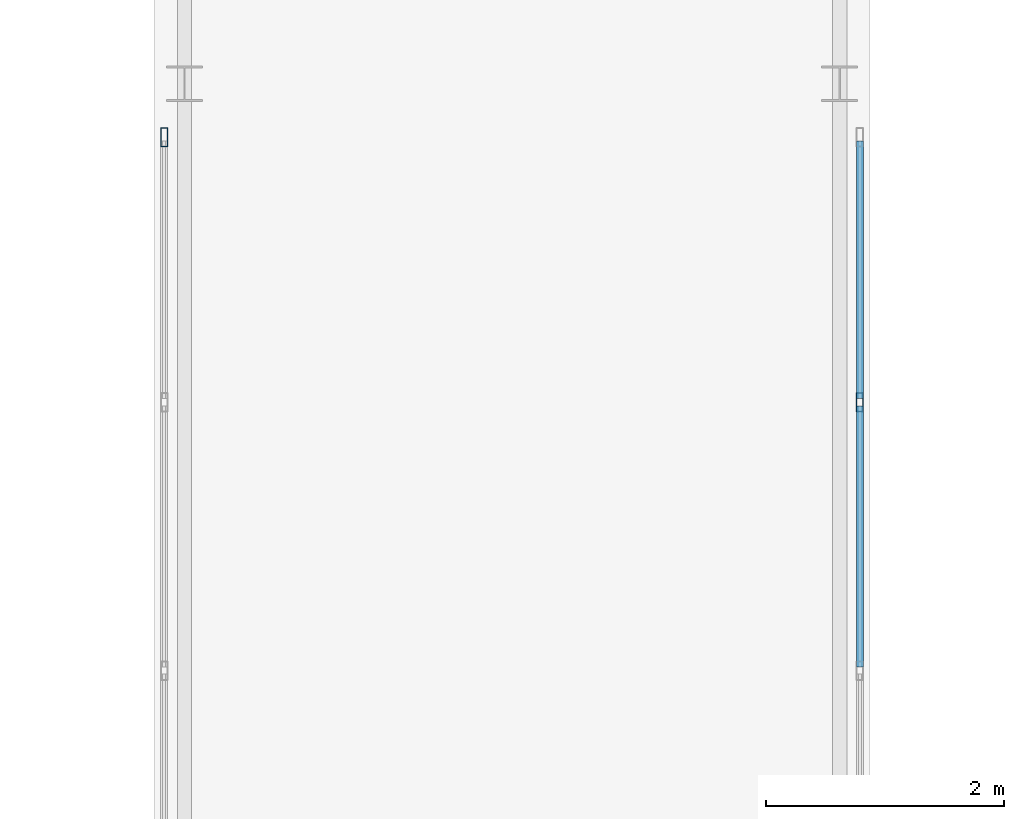
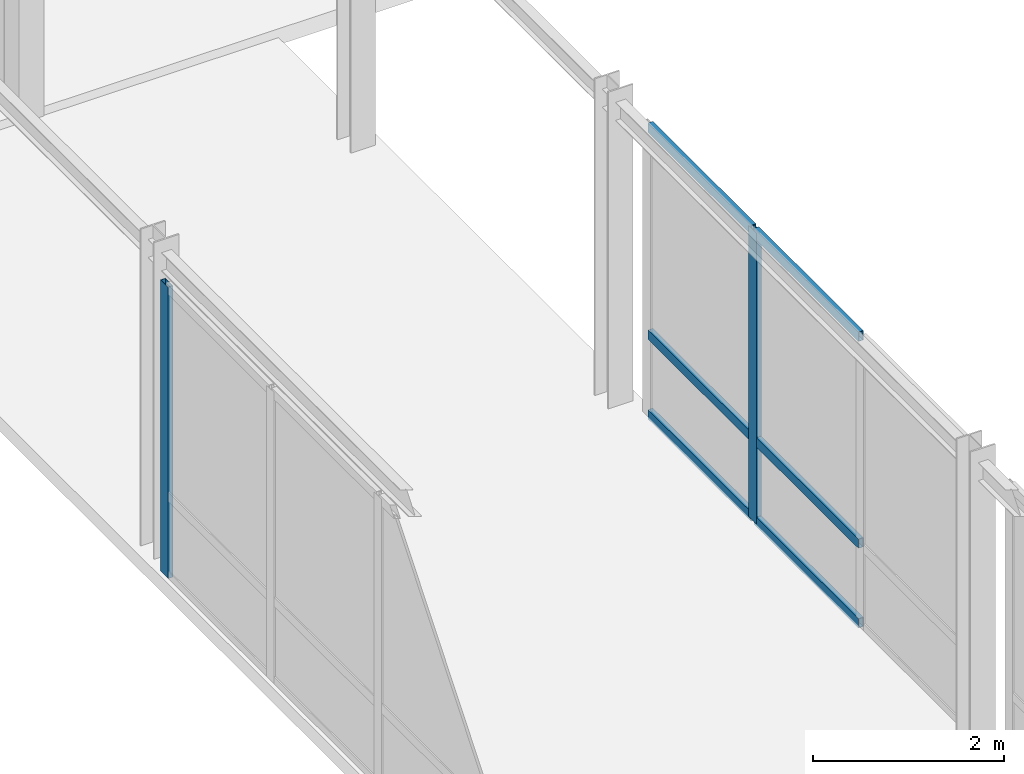
# One storey, part 84 of 165: 8 members, 2 elements without a shape of their own.
"""IFC4 building model written with IfcOpenShell, lengths in metres."""

import ifcopenshell
import ifcopenshell.guid

model = None  # the IFC model being written
_history = None  # IfcOwnerHistory: only IFC2X3 demands one
_inside = {}  # id of a spatial element -> (the spatial element, [elements in it])
_under = {}  # id of a project, library or spatial element -> (it, [spatial elements below it])
_declared = {}  # id of a project -> (the project, [libraries it declares])
_typed = {}  # id of a type object -> (the type object, [elements of that type])
_made_of = {}  # id of a material, layer set ... -> (it, [elements and type objects made of it])


def new_model(schema):
    """Start an empty IFC model of exactly this schema.

    Asked for "IFC4X3", IfcOpenShell would pick the latest addendum, in which some entities
    have other attributes; the version numbers below select the first issue.
    IFC2X3 requires an IfcOwnerHistory on every rooted entity: one is made here for all.
    """
    global model, _history
    if schema == "IFC4X3":
        model = ifcopenshell.file(schema_version=(4, 3, 0, 0))
    else:
        model = ifcopenshell.file(schema=schema)
    _inside.clear()
    _under.clear()
    _declared.clear()
    _typed.clear()
    _made_of.clear()
    _history = None
    if model.schema == "IFC2X3":
        org = make("IfcOrganization", Name="unknown")
        user = make(
            "IfcPersonAndOrganization",
            ThePerson=make("IfcPerson", FamilyName="unknown"),
            TheOrganization=org,
        )
        app = make(
            "IfcApplication",
            ApplicationDeveloper=org,
            Version="unknown",
            ApplicationFullName="unknown",
            ApplicationIdentifier="unknown",
        )
        _history = make(
            "IfcOwnerHistory",
            OwningUser=user,
            OwningApplication=app,
            ChangeAction="ADDED",
            CreationDate=0,
        )
    return model


def make(cls, **values):
    """One entity of the class cls with the attributes given. An attribute that is None is left unset."""
    return model.create_entity(
        cls, **{name: value for name, value in values.items() if value is not None}
    )


def rooted(cls, **values):
    """An entity with a GlobalId (a new one), such as an element, a storey or a relation."""
    return make(cls, GlobalId=ifcopenshell.guid.new(), OwnerHistory=_history, **values)


def si_unit(unit_type, name, prefix=None):
    """IfcSIUnit, for example si_unit("LENGTHUNIT", "METRE", prefix="MILLI")."""
    return make("IfcSIUnit", UnitType=unit_type, Prefix=prefix, Name=name)


def assignment(units):
    """IfcUnitAssignment: the units of a project."""
    return None if units is None else make("IfcUnitAssignment", Units=units)


def point(xyz):
    """IfcCartesianPoint."""
    return None if xyz is None else make("IfcCartesianPoint", Coordinates=xyz)


def direction(xyz):
    """IfcDirection."""
    return None if xyz is None else make("IfcDirection", DirectionRatios=xyz)


def frame(location, z_axis=None, x_axis=None):
    """IfcAxis2Placement3D, a coordinate frame: its origin and axes. An axis left out is left unset."""
    return make(
        "IfcAxis2Placement3D",
        Location=point(location),
        Axis=direction(z_axis),
        RefDirection=direction(x_axis),
    )


def frame_2d(location, x_axis=None):
    """IfcAxis2Placement2D, a coordinate frame in the plane: its origin and x axis."""
    return make(
        "IfcAxis2Placement2D", Location=point(location), RefDirection=direction(x_axis)
    )


def origin():
    """The frame at (0, 0, 0) with its axes left unset."""
    return frame((0.0, 0.0, 0.0))


def origin_2d():
    """The frame at (0, 0) in the plane with its x axis left unset."""
    return frame_2d((0.0, 0.0))


def place(relative_to, where):
    """IfcLocalPlacement: puts the frame where relative to a parent placement (None: the world)."""
    return make(
        "IfcLocalPlacement", PlacementRelTo=relative_to, RelativePlacement=where
    )


def context(
    kind, dimensions, precision=None, world=None, true_north=None, identifier=None
):
    """IfcGeometricRepresentationContext, for example the 3D "Model" context."""
    return make(
        "IfcGeometricRepresentationContext",
        ContextIdentifier=identifier,
        ContextType=kind,
        CoordinateSpaceDimension=dimensions,
        Precision=precision,
        WorldCoordinateSystem=world,
        TrueNorth=true_north,
    )


def subcontext(parent, identifier, kind, view, scale=None):
    """IfcGeometricRepresentationSubContext, for example "Body" below "Model"."""
    return make(
        "IfcGeometricRepresentationSubContext",
        ContextIdentifier=identifier,
        ContextType=kind,
        ParentContext=parent,
        TargetScale=scale,
        TargetView=view,
    )


def project(units=None, contexts=None):
    """IfcProject with its units and contexts."""
    return rooted(
        "IfcProject",
        Name="project",
        RepresentationContexts=contexts,
        UnitsInContext=assignment(units),
    )


def spatial(cls, under=None, at=None, **own):
    """A site, building, storey or space (cls), placed at a placement, below another one or the project."""
    s = rooted(cls, ObjectPlacement=at, **own)
    if under is not None:
        _under.setdefault(under.id(), (under, []))[1].append(s)
    return s


def profile(cls, at=None, kind="AREA", **sizes):
    """A parametric profile (cls). Its sizes go by their IFC names, for example OverallWidth=200.0."""
    return make(cls, ProfileType=kind, Position=at, **sizes)


def hollow_rectangle(**sizes):
    """IfcRectangleHollowProfileDef."""
    return profile("IfcRectangleHollowProfileDef", **sizes)


def extrude(swept, where, along, depth):
    """IfcExtrudedAreaSolid: the profile swept, set in the frame where, extruded along a direction by depth."""
    return make(
        "IfcExtrudedAreaSolid",
        SweptArea=swept,
        Position=where,
        ExtrudedDirection=direction(along),
        Depth=depth,
    )


def shape(context_of_items, identifier, shape_type, items):
    """IfcShapeRepresentation: the items that make up one representation, for example the "Body"."""
    return make(
        "IfcShapeRepresentation",
        ContextOfItems=context_of_items,
        RepresentationIdentifier=identifier,
        RepresentationType=shape_type,
        Items=items,
    )


def material(Name=None, Category=None):
    """IfcMaterial."""
    return make("IfcMaterial", Name=Name, Category=Category)


def layer(
    of_material, thickness, ventilated=None, Name=None, Category=None, Priority=None
):
    """IfcMaterialLayer: one layer of a wall or slab, of a material (None: an air gap)."""
    return make(
        "IfcMaterialLayer",
        Material=of_material,
        LayerThickness=thickness,
        IsVentilated=ventilated,
        Name=Name,
        Category=Category,
        Priority=Priority,
    )


def layer_set(layers, Name=None):
    """IfcMaterialLayerSet."""
    return make("IfcMaterialLayerSet", MaterialLayers=layers, LayerSetName=Name)


def material_profile(
    of_material, cross_section, Name=None, Category=None, Priority=None
):
    """IfcMaterialProfile: a cross section and its material."""
    return make(
        "IfcMaterialProfile",
        Name=Name,
        Material=of_material,
        Profile=cross_section,
        Priority=Priority,
        Category=Category,
    )


def profile_set(profiles, Name=None, composite=None):
    """IfcMaterialProfileSet."""
    return make(
        "IfcMaterialProfileSet",
        Name=Name,
        MaterialProfiles=profiles,
        CompositeProfile=composite,
    )


def made_of(thing, what):
    """Note that an element or type object is made of a material, layer set ...; save() writes the relation."""
    if what is not None:
        _made_of.setdefault(what.id(), (what, []))[1].append(thing)
    return thing


def type_object(cls, material=None, **own):
    """A type object (cls), such as IfcWallType, which elements share."""
    return made_of(rooted(cls, **own), material)


def element(
    cls,
    number,
    at=None,
    inside=None,
    cuts=None,
    type_object=None,
    material=None,
    context=None,
    identifier="Body",
    shape_type=None,
    held_by="IfcProductDefinitionShape",
    body=None,
    shapes=None,
    **own,
):
    """One element of the class cls, such as IfcWall. Its Tag is "e" and its number.

    at: its placement. inside: the storey or other place that contains it. cuts: it is an
    opening in that element (IfcRelVoidsElement). A single representation is given by context,
    identifier, shape_type and body (its items); several are given by shapes. held_by: the class
    of the entity that holds the representations. save() writes the other relations.
    """
    e = rooted(cls, Tag="e%d" % number, ObjectPlacement=at, **own)
    if body is not None:
        shapes = [shape(context, identifier, shape_type, body)]
    if shapes is not None:
        e.Representation = make(held_by, Representations=shapes)
    if inside is not None:
        _inside.setdefault(inside.id(), (inside, []))[1].append(e)
    if cuts is not None:
        rooted(
            "IfcRelVoidsElement", RelatingBuildingElement=cuts, RelatedOpeningElement=e
        )
    if type_object is not None:
        _typed.setdefault(type_object.id(), (type_object, []))[1].append(e)
    return made_of(e, material)


def aggregate(whole, parts):
    """IfcRelAggregates: a whole, such as a stair, and the parts it consists of."""
    return rooted("IfcRelAggregates", RelatingObject=whole, RelatedObjects=parts)


def save(model, path):
    """Write the relations noted so far, then the file.

    IfcRelAggregates (storeys below a building ...), IfcRelContainedInSpatialStructure (elements
    in a storey), IfcRelDefinesByType, IfcRelAssociatesMaterial and IfcRelDeclares: one each for
    every whole, place, type object, material and project.
    """
    for whole, parts in _under.values():
        aggregate(whole, parts)
    for where, things in _inside.values():
        rooted(
            "IfcRelContainedInSpatialStructure",
            RelatedElements=things,
            RelatingStructure=where,
        )
    for kind, things in _typed.values():
        rooted("IfcRelDefinesByType", RelatedObjects=things, RelatingType=kind)
    for what, things in _made_of.values():
        rooted("IfcRelAssociatesMaterial", RelatedObjects=things, RelatingMaterial=what)
    for by, libraries in _declared.values():
        rooted("IfcRelDeclares", RelatingContext=by, RelatedDefinitions=libraries)
    model.write(path)


model = new_model("IFC4")

# Units and contexts
model_context = context("Model", 3, precision=1e-05, world=origin(), true_north=direction((0.0, 1.0)))
body_context = subcontext(model_context, "Body", "Model", "MODEL_VIEW")
ifc_project = project(units=[si_unit("LENGTHUNIT", "METRE"), si_unit("AREAUNIT", "SQUARE_METRE"), si_unit("VOLUMEUNIT", "CUBIC_METRE"), si_unit("PLANEANGLEUNIT", "RADIAN"), si_unit("MASSUNIT", "GRAM", prefix="KILO")], contexts=[model_context])

# Site, building, storey
site_placement = place(None, origin())
site = spatial("IfcSite", under=ifc_project, at=site_placement, CompositionType="ELEMENT")
building_placement = place(site_placement, origin())
building = spatial("IfcBuilding", under=site, at=building_placement, Name="Montecoro Central Library", CompositionType="ELEMENT")
storey_placement = place(building_placement, frame((0.0, 0.0, 5.10009765625)))
storey = spatial("IfcBuildingStorey", under=building, at=storey_placement, Name="L01", CompositionType="ELEMENT", Elevation=5.10009765625)

# Curtain wall, member
ifc_material_1 = material(Name="Bronze-anodised aluminium and low-E glazing", Category="aluminium")
ifc_layer = layer(ifc_material_1, 0.159912109375)
ifc_layer_set = layer_set([ifc_layer], Name="Bronze-anodised aluminium and low-E glazing")
curtain_wall_type = type_object("IfcCurtainWallType", Name="CWT-076", PredefinedType="NOTDEFINED", material=ifc_layer_set)
curtain_wall_1_placement = place(storey_placement, origin())
curtain_wall_1 = element("IfcCurtainWall", 1, at=curtain_wall_1_placement, inside=storey, type_object=curtain_wall_type, Name="BR-N-L01-CW-W2", PredefinedType="NOTDEFINED")
ifc_material_2 = material(Name="Bronze-anodised aluminium", Category="aluminium")
ifc_material_profile_1 = material_profile(ifc_material_2, hollow_rectangle(XDim=0.06005859375, YDim=0.159912109375, WallThickness=0.00390625, at=origin_2d()), Name="CWM 160x60x4.0")
ifc_profile_set_1 = profile_set([ifc_material_profile_1], Name="Bronze-anodised aluminium")
member_type_1 = type_object("IfcMemberType", Name="CWM-BRZ-60", PredefinedType="MULLION", material=ifc_profile_set_1)
member_1_placement = place(storey_placement, frame((88.679931640625, 72.949951171875, 0.0), z_axis=(0.0, 0.0, 1.0), x_axis=(-1.0, 0.0, 0.0)))
member_1 = element("IfcMember", 2, at=member_1_placement, type_object=member_type_1, Name="CW-076 mullion 4", PredefinedType="MULLION", context=body_context, shape_type="SweptSolid", body=[
    extrude(hollow_rectangle(XDim=0.06005859375, YDim=0.159912109375, WallThickness=0.00390625, at=origin_2d()), origin(), (0.0, 0.0, 1.0), 3.72998046875),
])
aggregate(curtain_wall_1, [member_1])

# Curtain wall, members
curtain_wall_2_placement = place(storey_placement, origin())
curtain_wall_2 = element("IfcCurtainWall", 3, at=curtain_wall_2_placement, inside=storey, type_object=curtain_wall_type, Name="BR-N-L01-CW-E2", PredefinedType="NOTDEFINED")
member_2_placement = place(storey_placement, frame((94.52001953125, 70.7265625, 0.0), z_axis=(0.0, 0.0, 1.0), x_axis=(-1.0, 0.0, 0.0)))
member_2 = element("IfcMember", 4, at=member_2_placement, type_object=member_type_1, Name="CW-076 mullion 3", PredefinedType="MULLION", context=body_context, shape_type="SweptSolid", body=[
    extrude(hollow_rectangle(XDim=0.06005859375, YDim=0.159912109375, WallThickness=0.00390625, at=origin_2d()), origin(), (0.0, 0.0, 1.0), 3.72998046875),
])
ifc_material_profile_2 = material_profile(ifc_material_2, hollow_rectangle(XDim=0.06005859375, YDim=0.1201171875, WallThickness=0.00390625, at=origin_2d()), Name="CWT 120x60x4.0")
ifc_profile_set_2 = profile_set([ifc_material_profile_2], Name="Bronze-anodised aluminium")
member_type_2 = type_object("IfcMemberType", Name="CWT-BRZ-60", PredefinedType="USERDEFINED", material=ifc_profile_set_2)
member_3_placement = place(storey_placement, frame((94.52001953125, 68.50341796875, 0.02978515625), z_axis=(0.0, 1.0, 0.0), x_axis=(-1.0, 0.0, 0.0)))
member_3 = element("IfcMember", 5, at=member_3_placement, type_object=member_type_2, Name="CW-076 transom 2.1", ObjectType="TRANSOM", PredefinedType="USERDEFINED", context=body_context, shape_type="SweptSolid", body=[
    extrude(hollow_rectangle(XDim=0.06005859375, YDim=0.1201171875, WallThickness=0.00390625, at=origin_2d()), origin(), (0.0, 0.0, 1.0), 2.193359375),
])
member_4_placement = place(storey_placement, frame((94.52001953125, 68.50341796875, 1.0498046875), z_axis=(0.0, 1.0, 0.0), x_axis=(-1.0, 0.0, 0.0)))
member_4 = element("IfcMember", 6, at=member_4_placement, type_object=member_type_2, Name="CW-076 transom 2.2", ObjectType="TRANSOM", PredefinedType="USERDEFINED", context=body_context, shape_type="SweptSolid", body=[
    extrude(hollow_rectangle(XDim=0.06005859375, YDim=0.1201171875, WallThickness=0.00390625, at=origin_2d()), origin(), (0.0, 0.0, 1.0), 2.193359375),
])
member_5_placement = place(storey_placement, frame((94.52001953125, 68.50341796875, 3.699951171875), z_axis=(0.0, 1.0, 0.0), x_axis=(-1.0, 0.0, 0.0)))
member_5 = element("IfcMember", 7, at=member_5_placement, type_object=member_type_2, Name="CW-076 transom 2.3", ObjectType="TRANSOM", PredefinedType="USERDEFINED", context=body_context, shape_type="SweptSolid", body=[
    extrude(hollow_rectangle(XDim=0.06005859375, YDim=0.1201171875, WallThickness=0.00390625, at=origin_2d()), origin(), (0.0, 0.0, 1.0), 2.193359375),
])
member_6_placement = place(storey_placement, frame((94.52001953125, 70.756591796875, 0.02978515625), z_axis=(0.0, 1.0, 0.0), x_axis=(-1.0, 0.0, 0.0)))
member_6 = element("IfcMember", 8, at=member_6_placement, type_object=member_type_2, Name="CW-076 transom 3.1", ObjectType="TRANSOM", PredefinedType="USERDEFINED", context=body_context, shape_type="SweptSolid", body=[
    extrude(hollow_rectangle(XDim=0.06005859375, YDim=0.1201171875, WallThickness=0.00390625, at=origin_2d()), origin(), (0.0, 0.0, 1.0), 2.163330078125),
])
member_7_placement = place(storey_placement, frame((94.52001953125, 70.756591796875, 1.0498046875), z_axis=(0.0, 1.0, 0.0), x_axis=(-1.0, 0.0, 0.0)))
member_7 = element("IfcMember", 9, at=member_7_placement, type_object=member_type_2, Name="CW-076 transom 3.2", ObjectType="TRANSOM", PredefinedType="USERDEFINED", context=body_context, shape_type="SweptSolid", body=[
    extrude(hollow_rectangle(XDim=0.06005859375, YDim=0.1201171875, WallThickness=0.00390625, at=origin_2d()), origin(), (0.0, 0.0, 1.0), 2.163330078125),
])
member_8_placement = place(storey_placement, frame((94.52001953125, 70.756591796875, 3.699951171875), z_axis=(0.0, 1.0, 0.0), x_axis=(-1.0, 0.0, 0.0)))
member_8 = element("IfcMember", 10, at=member_8_placement, type_object=member_type_2, Name="CW-076 transom 3.3", ObjectType="TRANSOM", PredefinedType="USERDEFINED", context=body_context, shape_type="SweptSolid", body=[
    extrude(hollow_rectangle(XDim=0.06005859375, YDim=0.1201171875, WallThickness=0.00390625, at=origin_2d()), origin(), (0.0, 0.0, 1.0), 2.163330078125),
])
aggregate(curtain_wall_2, [member_2, member_3, member_4, member_5, member_6, member_7, member_8])

save(model, "model.ifc")
